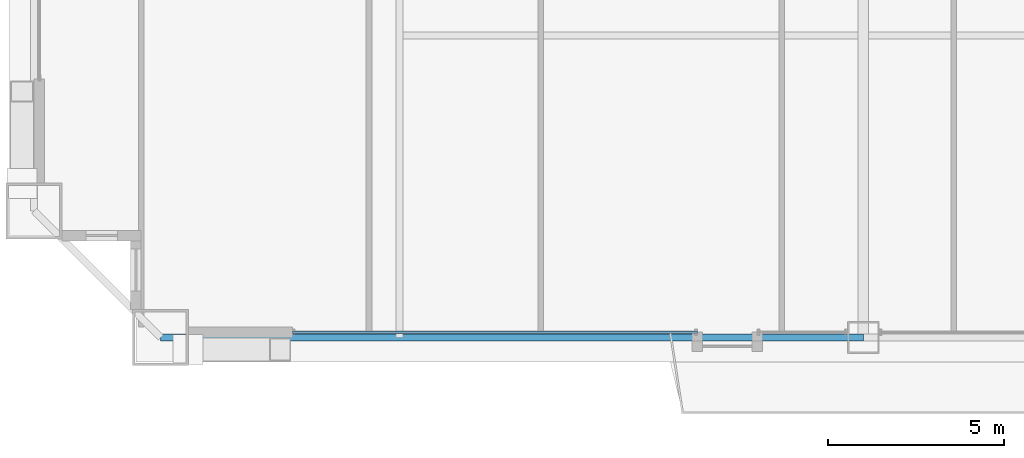
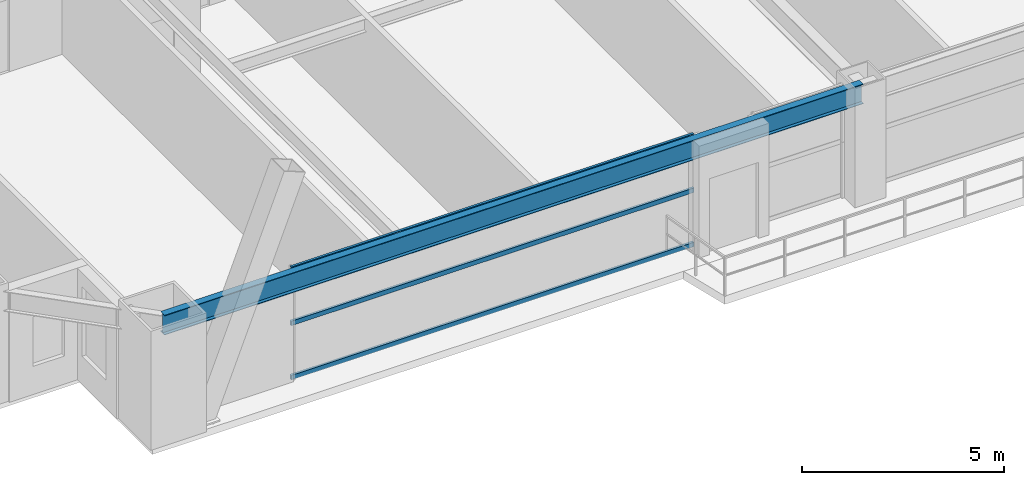
# One storey, part 5 of 43: 3 members, 1 beam, 1 element without a shape of its own.
"""IFC4 building model written with IfcOpenShell, lengths in metres."""

from ifc_helpers import new_model, si_unit, direction, frame, origin, origin_2d, place, context, subcontext, project, spatial, hollow_rectangle, i_section, extrude, source, transform, mapped, material, layer, layer_set, material_profile, profile_set, type_object, element, aggregate, save


model = new_model("IFC4")

# Units and contexts
model_context = context("Model", 3, precision=1e-05, world=origin(), true_north=direction((0.0, 1.0)))
body_context = subcontext(model_context, "Body", "Model", "MODEL_VIEW")
ifc_project = project(units=[si_unit("LENGTHUNIT", "METRE"), si_unit("AREAUNIT", "SQUARE_METRE"), si_unit("VOLUMEUNIT", "CUBIC_METRE"), si_unit("PLANEANGLEUNIT", "RADIAN"), si_unit("MASSUNIT", "GRAM", prefix="KILO"), si_unit("THERMODYNAMICTEMPERATUREUNIT", "KELVIN"), si_unit("POWERUNIT", "WATT")], contexts=[model_context])

# Site, building, storey
site_placement = place(None, origin())
site = spatial("IfcSite", under=ifc_project, at=site_placement, CompositionType="ELEMENT")
building_placement = place(site_placement, origin())
building = spatial("IfcBuilding", under=site, at=building_placement, Name="Yuzanri Waterfront Tower", CompositionType="ELEMENT")
storey_placement = place(building_placement, frame((0.0, 0.0, 159.60009765625)))
storey = spatial("IfcBuildingStorey", under=building, at=storey_placement, Name="L42", CompositionType="ELEMENT", Elevation=159.60009765625)

# Beam
ifc_material_1 = material(Name="Steel Q355B", Category="steel")
ifc_material_profile_1 = material_profile(ifc_material_1, i_section(OverallWidth=0.199951171875, OverallDepth=0.60009765625, WebThickness=0.010986328125, FlangeThickness=0.01708984375, at=origin_2d()), Name="HN 600x200x11x17")
ifc_profile_set_1 = profile_set([ifc_material_profile_1], Name="Steel Q355B")
beam_type = type_object("IfcBeamType", Name="Perimeter Spandrel Q355B HN 600x200", PredefinedType="SPANDREL", material=ifc_profile_set_1)
shared_shape_1 = source(origin(), body_context, "Body", "SweptSolid", [
    extrude(i_section(OverallWidth=0.199951171875, OverallDepth=0.60009765625, WebThickness=0.010986328125, FlangeThickness=0.01708984375, at=origin_2d()), origin(), (0.0, 0.0, 1.0), 20.0),
])
beam_placement = place(storey_placement, frame((17.0, 2.199951171875, 3.079833984375), z_axis=(1.0, 0.0, 0.0), x_axis=(0.0, 1.0, 0.0)))
element("IfcBeam", 1, at=beam_placement, inside=storey, type_object=beam_type, Name="L42 Perimeter Spandrel S1-S2", PredefinedType="SPANDREL", context=body_context, shape_type="MappedRepresentation", body=[
    mapped(shared_shape_1, transform((0.0, 0.0, 0.0), scale=1.0)),
])

# Curtain wall, members
ifc_material_2 = material(Name="Anodized Architectural Bronze", Category="metal")
ifc_layer = layer(ifc_material_2, 0.159912109375)
ifc_layer_set = layer_set([ifc_layer], Name="Anodized Architectural Bronze")
curtain_wall_type = type_object("IfcCurtainWallType", Name="Anodized Bronze Hotel Upper-Tier Solar-Control Unitized Curtain Wall 7800", PredefinedType="NOTDEFINED", material=ifc_layer_set)
curtain_wall_placement = place(storey_placement, origin())
curtain_wall = element("IfcCurtainWall", 2, at=curtain_wall_placement, inside=storey, type_object=curtain_wall_type, Name="L42 Curtain Wall CW-L42-SL1", PredefinedType="NOTDEFINED")
ifc_material_3 = material(Name="Anodized Architectural Bronze", Category="metal")
ifc_material_profile_2 = material_profile(ifc_material_3, hollow_rectangle(XDim=0.070068359375, YDim=0.135009765625, WallThickness=0.00341796875, at=origin_2d()), Name="CWT 70x135")
ifc_profile_set_2 = profile_set([ifc_material_profile_2], Name="Anodized Architectural Bronze")
member_type = type_object("IfcMemberType", Name="Anodized Bronze Standard Curtain-Wall Transom 70x135", PredefinedType="USERDEFINED", material=ifc_profile_set_2)
shared_shape_2 = source(origin(), body_context, "Body", "SweptSolid", [
    extrude(hollow_rectangle(XDim=0.070068359375, YDim=0.135009765625, WallThickness=0.00341796875, at=origin_2d()), origin(), (0.0, 0.0, 1.0), 11.527099609375),
])
member_1_placement = place(storey_placement, frame((20.75, 2.35009765625, 0.0498046875), z_axis=(1.0, 0.0, 0.0), x_axis=(0.0, 1.0, 0.0)))
member_1 = element("IfcMember", 3, at=member_1_placement, type_object=member_type, Name="CW-L42-SL1 Transom 1", ObjectType="TRANSOM", PredefinedType="USERDEFINED", context=body_context, shape_type="MappedRepresentation", body=[
    mapped(shared_shape_2, transform((0.0, 0.0, 0.0), scale=1.0)),
])
member_2_placement = place(storey_placement, frame((20.75, 2.35009765625, 1.68994140625), z_axis=(1.0, 0.0, 0.0), x_axis=(0.0, 1.0, 0.0)))
member_2 = element("IfcMember", 4, at=member_2_placement, type_object=member_type, Name="CW-L42-SL1 Transom 2", ObjectType="TRANSOM", PredefinedType="USERDEFINED", context=body_context, shape_type="MappedRepresentation", body=[
    mapped(shared_shape_2, transform((0.0, 0.0, 0.0), scale=1.0)),
])
member_3_placement = place(storey_placement, frame((20.75, 2.35009765625, 3.329833984375), z_axis=(1.0, 0.0, 0.0), x_axis=(0.0, 1.0, 0.0)))
member_3 = element("IfcMember", 5, at=member_3_placement, type_object=member_type, Name="CW-L42-SL1 Transom 3", ObjectType="TRANSOM", PredefinedType="USERDEFINED", context=body_context, shape_type="MappedRepresentation", body=[
    mapped(shared_shape_2, transform((0.0, 0.0, 0.0), scale=1.0)),
])
aggregate(curtain_wall, [member_1, member_2, member_3])

save(model, "model.ifc")
